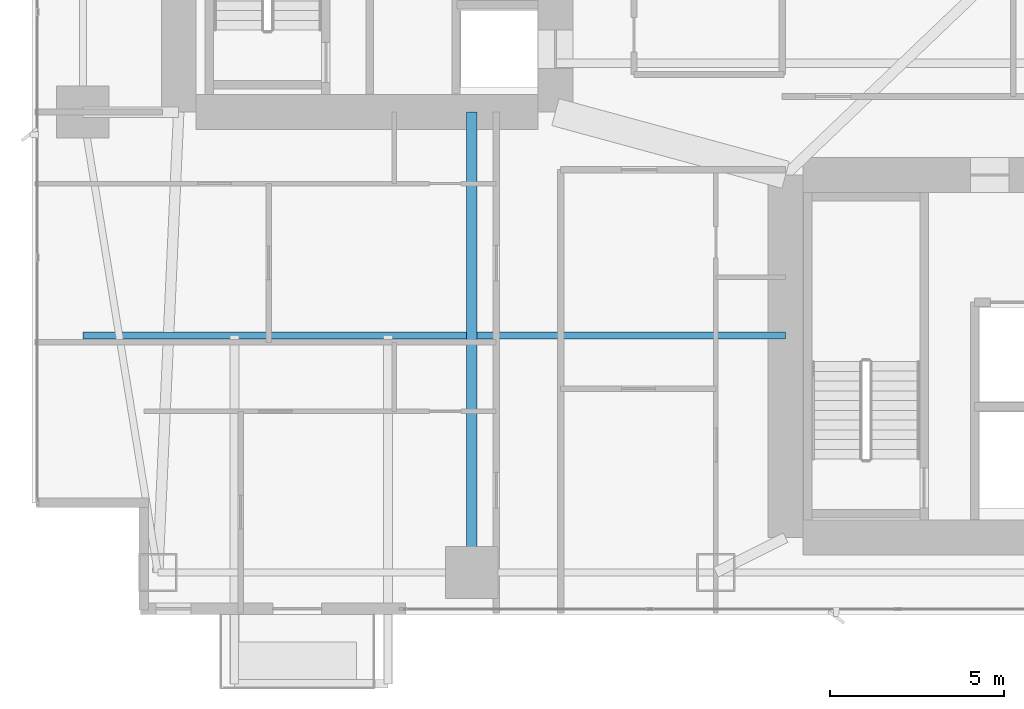
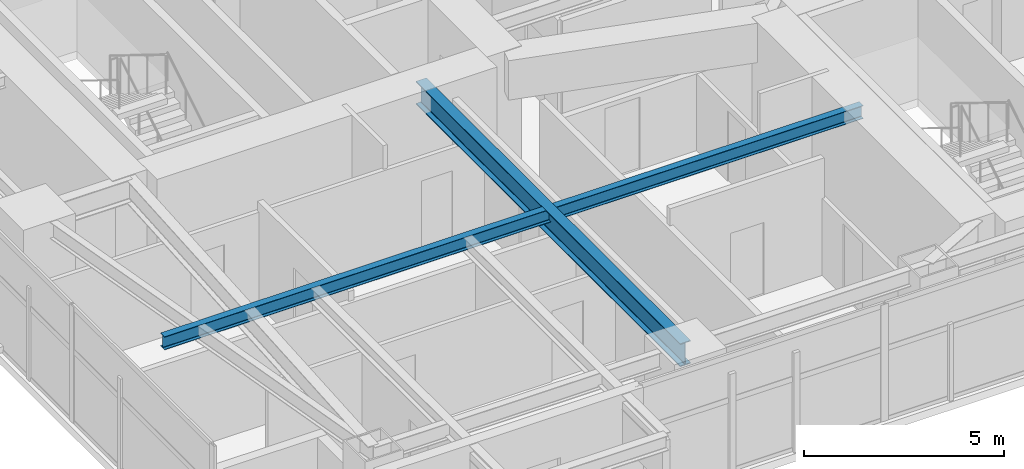
# One storey, part 5 of 30: 2 beams.
"""IFC4 building model written with IfcOpenShell, lengths in metres."""

from ifc_helpers import new_model, si_unit, direction, frame, origin, origin_2d, place, context, subcontext, project, spatial, i_section, extrude, material, material_profile, profile_set, type_object, element, save


model = new_model("IFC4")

# Units and contexts
model_context = context("Model", 3, precision=1e-05, world=origin(), true_north=direction((0.0, 1.0)))
body_context = subcontext(model_context, "Body", "Model", "MODEL_VIEW")
ifc_project = project(units=[si_unit("LENGTHUNIT", "METRE"), si_unit("AREAUNIT", "SQUARE_METRE"), si_unit("VOLUMEUNIT", "CUBIC_METRE"), si_unit("PLANEANGLEUNIT", "RADIAN"), si_unit("MASSUNIT", "GRAM", prefix="KILO")], contexts=[model_context])

# Site, building, storey
site_placement = place(None, origin())
site = spatial("IfcSite", under=ifc_project, at=site_placement, CompositionType="ELEMENT")
building_placement = place(site_placement, origin())
building = spatial("IfcBuilding", under=site, at=building_placement, Name="Calvorn Quay Hotel", CompositionType="ELEMENT")
storey_placement = place(building_placement, frame((0.0, 0.0, 77.39990234375)))
storey = spatial("IfcBuildingStorey", under=building, at=storey_placement, Name="L18", CompositionType="ELEMENT", Elevation=77.39990234375)

# Beams
ifc_material_1 = material(Name="Steel Q390GJC", Category="steel")
ifc_material_profile_1 = material_profile(ifc_material_1, i_section(OverallWidth=0.300048828125, OverallDepth=0.699951171875, WebThickness=0.012939453125, FlangeThickness=0.02392578125, FilletRadius=0.02392578125, at=origin_2d()), Name="HN700x300x13x24")
ifc_profile_set_1 = profile_set([ifc_material_profile_1], Name="Steel Q390GJC")
beam_type_1 = type_object("IfcBeamType", Name="BM-GIRD-MAIN", PredefinedType="BEAM", material=ifc_profile_set_1)
beam_1_placement = place(storey_placement, frame((12.60009765625, 3.60009765625, 3.190185546875), z_axis=(0.0, 1.0, 0.0), x_axis=(-1.0, 0.0, 0.0)))
element("IfcBeam", 1, at=beam_1_placement, inside=storey, type_object=beam_type_1, Name="Beam BG-L18-S1", PredefinedType="BEAM", context=body_context, shape_type="SweptSolid", body=[
    extrude(i_section(OverallWidth=0.300048828125, OverallDepth=0.699951171875, WebThickness=0.012939453125, FlangeThickness=0.02392578125, FilletRadius=0.02392578125, at=origin_2d()), origin(), (0.0, 0.0, 1.0), 13.199951171875),
])
ifc_material_2 = material(Name="Steel Q355B", Category="steel")
ifc_material_profile_2 = material_profile(ifc_material_2, i_section(OverallWidth=0.199951171875, OverallDepth=0.39990234375, WebThickness=0.008056640625, FlangeThickness=0.012939453125, FilletRadius=0.01611328125, at=origin_2d()), Name="HN400x200x8x13")
ifc_profile_set_2 = profile_set([ifc_material_profile_2], Name="Steel Q355B")
beam_type_2 = type_object("IfcBeamType", Name="BM-JOIST-TYP", PredefinedType="JOIST", material=ifc_profile_set_2)
beam_2_placement = place(storey_placement, frame((1.449951171875, 10.39990234375, 3.340087890625), z_axis=(1.0, 0.0, 0.0), x_axis=(0.0, 1.0, 0.0)))
element("IfcBeam", 2, at=beam_2_placement, inside=storey, type_object=beam_type_2, Name="Beam BJ-L18-W1", PredefinedType="JOIST", context=body_context, shape_type="SweptSolid", body=[
    extrude(i_section(OverallWidth=0.199951171875, OverallDepth=0.39990234375, WebThickness=0.008056640625, FlangeThickness=0.012939453125, FilletRadius=0.01611328125, at=origin_2d()), origin(), (0.0, 0.0, 1.0), 20.150146484375),
])

save(model, "model.ifc")
